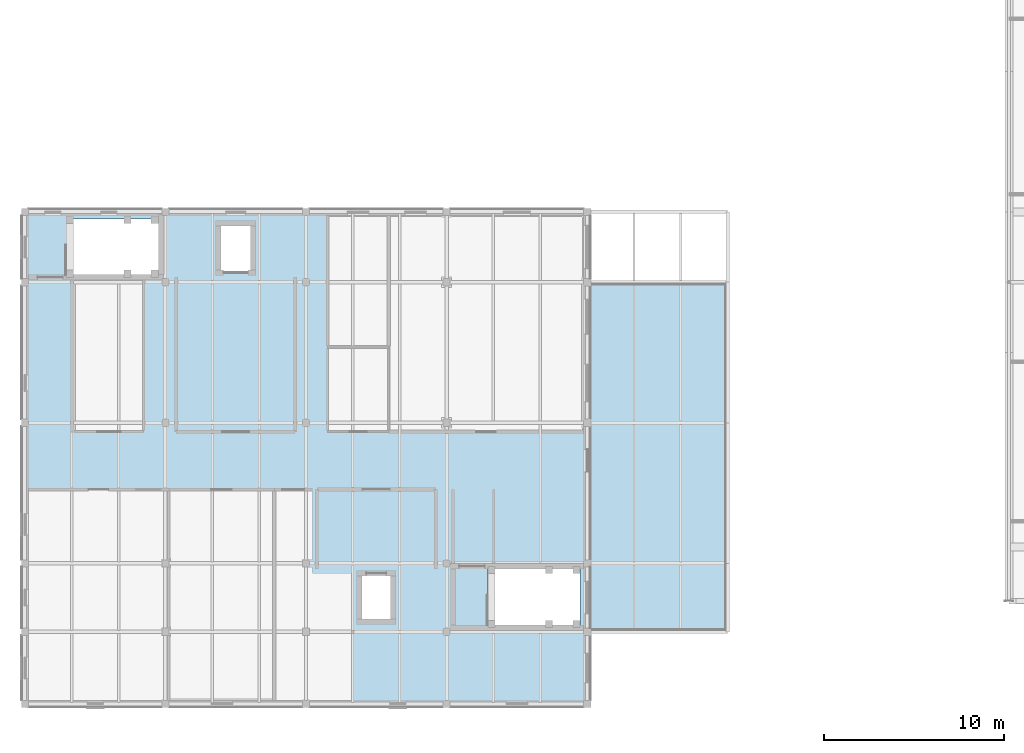
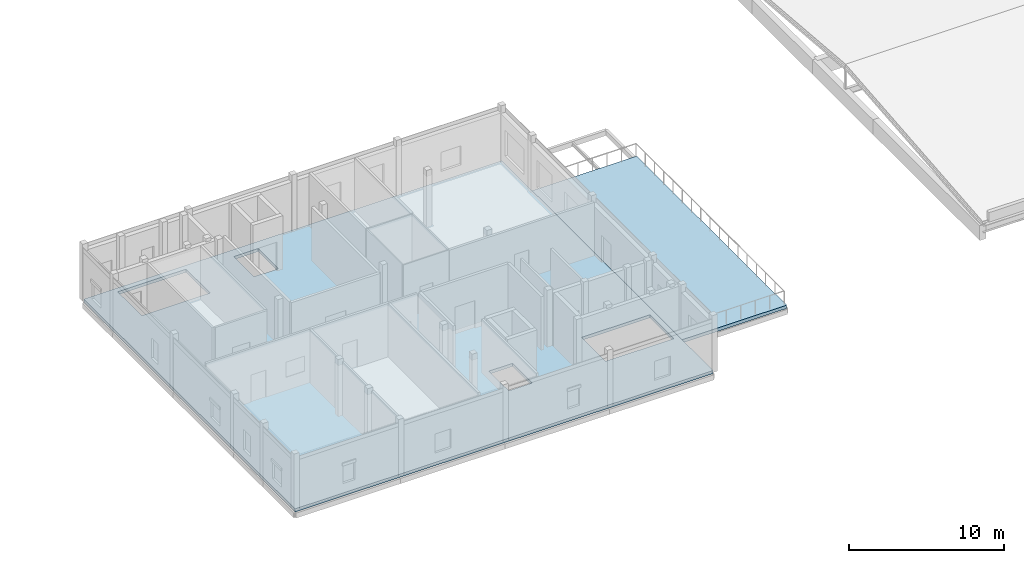
# One storey, part 16 of 45: 2 slabs.
"""IFC4 building model written with IfcOpenShell, lengths in metres."""

from ifc_helpers import new_model, si_unit, direction, frame, origin, place, context, subcontext, project, spatial, polyline, outline, extrude, material, layer, layer_set, type_object, element, save


model = new_model("IFC4")

# Units and contexts
model_context = context("Model", 3, precision=1e-05, world=origin(), true_north=direction((0.0, 1.0)))
body_context = subcontext(model_context, "Body", "Model", "MODEL_VIEW")
ifc_project = project(units=[si_unit("LENGTHUNIT", "METRE"), si_unit("AREAUNIT", "SQUARE_METRE"), si_unit("VOLUMEUNIT", "CUBIC_METRE"), si_unit("PLANEANGLEUNIT", "RADIAN"), si_unit("MASSUNIT", "GRAM", prefix="KILO")], contexts=[model_context])

# Site, building, storey
site_placement = place(None, origin())
site = spatial("IfcSite", under=ifc_project, at=site_placement, CompositionType="ELEMENT")
building_placement = place(site_placement, origin())
building = spatial("IfcBuilding", under=site, at=building_placement, Name="Celorna Specialist Clinic", CompositionType="ELEMENT")
storey_placement = place(building_placement, frame((0.0, 0.0, 18.60009765625)))
storey = spatial("IfcBuildingStorey", under=building, at=storey_placement, Name="L04", CompositionType="ELEMENT", Elevation=18.60009765625)

# Slabs
ifc_material = material(Name="Concrete C35/45", Category="concrete")
ifc_layer_1 = layer(ifc_material, 0.260009765625, Name="Concrete C35/45")
ifc_layer_set_1 = layer_set([ifc_layer_1], Name="Concrete C35/45")
slab_type_1 = type_object("IfcSlabType", Name="SL-07", PredefinedType="FLOOR", material=ifc_layer_set_1)
slab_1_placement = place(storey_placement, frame((0.0, 0.0, -0.260009765625)))
element("IfcSlab", 1, at=slab_1_placement, inside=storey, type_object=slab_type_1, Name="Clinical Trials South Terrace", PredefinedType="FLOOR", context=body_context, shape_type="SweptSolid", body=[
    extrude(outline(polyline([(31.199951171875, 4.0), (39.0, 4.0), (39.0, 23.39990234375), (31.199951171875, 23.39990234375), (31.199951171875, 4.0)])), origin(), (0.0, 0.0, 1.0), 0.260009765625),
])
ifc_layer_2 = layer(ifc_material, 0.239990234375, Name="Concrete C35/45")
ifc_layer_set_2 = layer_set([ifc_layer_2], Name="Concrete C35/45")
slab_type_2 = type_object("IfcSlabType", Name="SL-09", PredefinedType="FLOOR", material=ifc_layer_set_2)
slab_2_placement = place(storey_placement, frame((0.0, 0.0, -0.239990234375)))
element("IfcSlab", 2, at=slab_2_placement, inside=storey, type_object=slab_type_2, Name="V5 L04 structural slab SL-09", PredefinedType="FLOOR", context=body_context, shape_type="SweptSolid", body=[
    extrude(outline(polyline([(31.199951171875, 0.0), (31.199951171875, 27.300048828125), (0.0, 27.300048828125), (0.0, 0.0), (31.199951171875, 0.0)]), holes=[polyline([(2.31005859375, 23.820068359375), (7.409912109375, 23.820068359375), (7.409912109375, 26.919921875), (2.31005859375, 26.919921875), (2.31005859375, 23.820068359375)]), polyline([(25.7099609375, 4.3798828125), (30.81005859375, 4.3798828125), (30.81005859375, 7.47998046875), (25.7099609375, 7.47998046875), (25.7099609375, 4.3798828125)]), polyline([(10.794921875, 23.9951171875), (12.60498046875, 23.9951171875), (12.60498046875, 26.60498046875), (10.794921875, 26.60498046875), (10.794921875, 23.9951171875)]), polyline([(18.6201171875, 4.6201171875), (20.3798828125, 4.6201171875), (20.3798828125, 7.179931640625), (18.6201171875, 7.179931640625), (18.6201171875, 4.6201171875)])]), origin(), (0.0, 0.0, 1.0), 0.239990234375),
])

save(model, "model.ifc")
